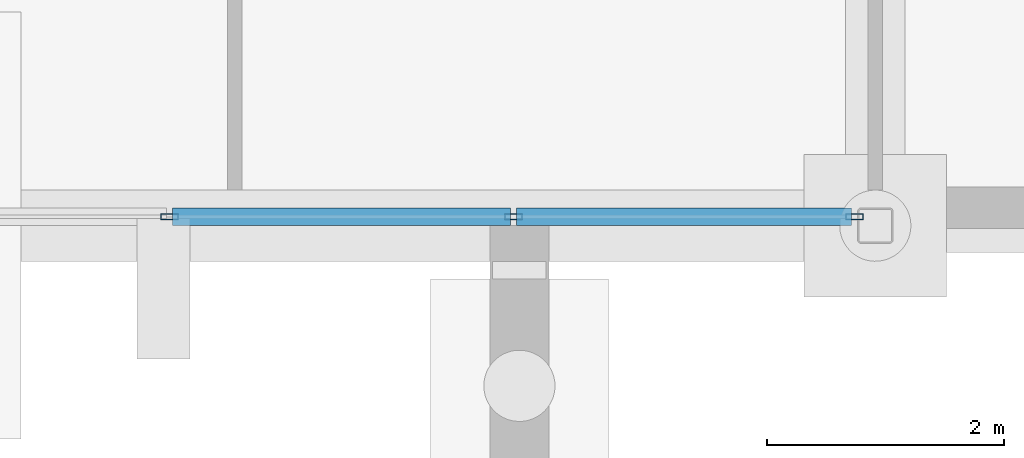
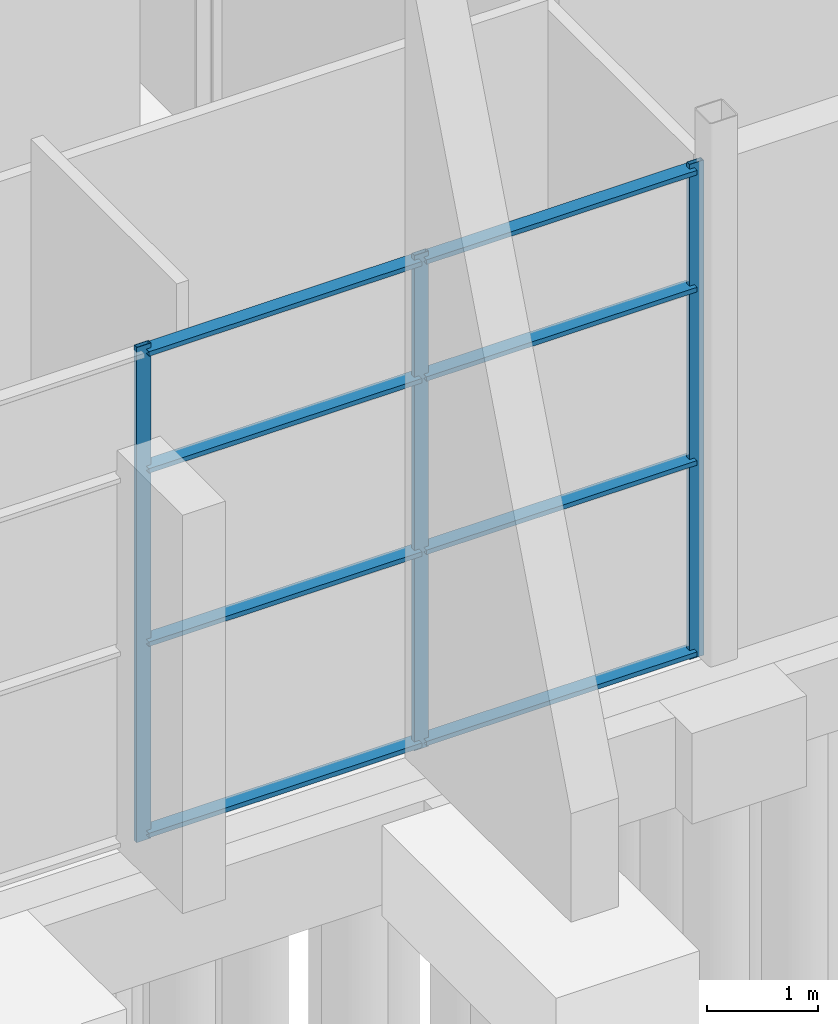
# One storey, part 40 of 139: 11 members, 1 element without a shape of its own.
"""IFC4 building model written with IfcOpenShell, lengths in metres."""

from ifc_helpers import new_model, si_unit, direction, frame, origin, origin_2d, place, context, subcontext, project, spatial, hollow_rectangle, extrude, material, layer, layer_set, material_profile, profile_set, type_object, element, aggregate, save


model = new_model("IFC4")

# Units and contexts
model_context = context("Model", 3, precision=1e-05, world=origin(), true_north=direction((0.0, 1.0)))
body_context = subcontext(model_context, "Body", "Model", "MODEL_VIEW")
ifc_project = project(units=[si_unit("LENGTHUNIT", "METRE"), si_unit("AREAUNIT", "SQUARE_METRE"), si_unit("VOLUMEUNIT", "CUBIC_METRE"), si_unit("PLANEANGLEUNIT", "RADIAN"), si_unit("MASSUNIT", "GRAM", prefix="KILO")], contexts=[model_context])

# Site, building, storey
site_placement = place(None, origin())
site = spatial("IfcSite", under=ifc_project, at=site_placement, CompositionType="ELEMENT")
building_placement = place(site_placement, origin())
building = spatial("IfcBuilding", under=site, at=building_placement, Name="Shorebreak Coast Museum", CompositionType="ELEMENT")
storey_placement = place(building_placement, origin())
storey = spatial("IfcBuildingStorey", under=building, at=storey_placement, Name="L00", CompositionType="ELEMENT", Elevation=0.0)

# Curtain wall, members
ifc_material_1 = material(Name="Aluminium", Category="aluminium")
ifc_layer = layer(ifc_material_1, 0.14990234375)
ifc_layer_set = layer_set([ifc_layer], Name="Aluminium")
curtain_wall_type = type_object("IfcCurtainWallType", Name="Storefront curtain wall", PredefinedType="NOTDEFINED", material=ifc_layer_set)
curtain_wall_placement = place(storey_placement, origin())
curtain_wall = element("IfcCurtainWall", 1, at=curtain_wall_placement, inside=storey, type_object=curtain_wall_type, Name="Storefront L00 S 7", PredefinedType="NOTDEFINED")
ifc_material_2 = material(Name="Aluminium", Category="aluminium")
ifc_material_profile_1 = material_profile(ifc_material_2, hollow_rectangle(XDim=0.050048828125, YDim=0.14990234375, WallThickness=0.00390625, at=origin_2d()), Name="AL 150x50 RHS")
ifc_profile_set_1 = profile_set([ifc_material_profile_1], Name="Aluminium")
member_type_1 = type_object("IfcMemberType", Name="Storefront mullion 50 x 150", PredefinedType="MULLION", material=ifc_profile_set_1)
member_1_placement = place(storey_placement, frame((12.050048828125, 54.074951171875, 0.0), z_axis=(0.0, 0.0, 1.0), x_axis=(0.0, 1.0, 0.0)))
member_1 = element("IfcMember", 2, at=member_1_placement, type_object=member_type_1, Name="CW8 mullion 2", PredefinedType="MULLION", context=body_context, shape_type="SweptSolid", body=[
    extrude(hollow_rectangle(XDim=0.050048828125, YDim=0.14990234375, WallThickness=0.00390625, at=origin_2d()), origin(), (0.0, 0.0, 1.0), 5.469482421875),
])
member_2_placement = place(storey_placement, frame((14.949951171875, 54.074951171875, 0.0), z_axis=(0.0, 0.0, 1.0), x_axis=(0.0, 1.0, 0.0)))
member_2 = element("IfcMember", 3, at=member_2_placement, type_object=member_type_1, Name="CW8 mullion 3", PredefinedType="MULLION", context=body_context, shape_type="SweptSolid", body=[
    extrude(hollow_rectangle(XDim=0.050048828125, YDim=0.14990234375, WallThickness=0.00390625, at=origin_2d()), origin(), (0.0, 0.0, 1.0), 5.469482421875),
])
member_3_placement = place(storey_placement, frame((17.824951171875, 54.074951171875, 0.0), z_axis=(0.0, 0.0, 1.0), x_axis=(0.0, 1.0, 0.0)))
member_3 = element("IfcMember", 4, at=member_3_placement, type_object=member_type_1, Name="CW8 mullion 4", PredefinedType="MULLION", context=body_context, shape_type="SweptSolid", body=[
    extrude(hollow_rectangle(XDim=0.050048828125, YDim=0.14990234375, WallThickness=0.00390625, at=origin_2d()), origin(), (0.0, 0.0, 1.0), 5.469482421875),
])
ifc_material_3 = material(Name="Aluminium", Category="aluminium")
ifc_material_profile_2 = material_profile(ifc_material_3, hollow_rectangle(XDim=0.14990234375, YDim=0.050048828125, WallThickness=0.00390625, at=origin_2d()), Name="AL 50x150 RHS")
ifc_profile_set_2 = profile_set([ifc_material_profile_2], Name="Aluminium")
member_type_2 = type_object("IfcMemberType", Name="Storefront transom 150 x 50", PredefinedType="USERDEFINED", material=ifc_profile_set_2)
member_4_placement = place(storey_placement, frame((12.074951171875, 54.074951171875, 0.074951171875), z_axis=(1.0, 0.0, 0.0), x_axis=(0.0, 1.0, 0.0)))
member_4 = element("IfcMember", 5, at=member_4_placement, type_object=member_type_2, Name="CW8 transom 2.1", ObjectType="TRANSOM", PredefinedType="USERDEFINED", context=body_context, shape_type="SweptSolid", body=[
    extrude(hollow_rectangle(XDim=0.14990234375, YDim=0.050048828125, WallThickness=0.00390625, at=origin_2d()), origin(), (0.0, 0.0, 1.0), 2.85009765625),
])
member_5_placement = place(storey_placement, frame((12.074951171875, 54.074951171875, 2.187744140625), z_axis=(1.0, 0.0, 0.0), x_axis=(0.0, 1.0, 0.0)))
member_5 = element("IfcMember", 6, at=member_5_placement, type_object=member_type_2, Name="CW8 transom 2.2", ObjectType="TRANSOM", PredefinedType="USERDEFINED", context=body_context, shape_type="SweptSolid", body=[
    extrude(hollow_rectangle(XDim=0.14990234375, YDim=0.050048828125, WallThickness=0.00390625, at=origin_2d()), origin(), (0.0, 0.0, 1.0), 2.85009765625),
])
member_6_placement = place(storey_placement, frame((12.074951171875, 54.074951171875, 4.10205078125), z_axis=(1.0, 0.0, 0.0), x_axis=(0.0, 1.0, 0.0)))
member_6 = element("IfcMember", 7, at=member_6_placement, type_object=member_type_2, Name="CW8 transom 2.3", ObjectType="TRANSOM", PredefinedType="USERDEFINED", context=body_context, shape_type="SweptSolid", body=[
    extrude(hollow_rectangle(XDim=0.14990234375, YDim=0.050048828125, WallThickness=0.00390625, at=origin_2d()), origin(), (0.0, 0.0, 1.0), 2.85009765625),
])
member_7_placement = place(storey_placement, frame((12.074951171875, 54.074951171875, 5.394287109375), z_axis=(1.0, 0.0, 0.0), x_axis=(0.0, 1.0, 0.0)))
member_7 = element("IfcMember", 8, at=member_7_placement, type_object=member_type_2, Name="CW8 transom 2.4", ObjectType="TRANSOM", PredefinedType="USERDEFINED", context=body_context, shape_type="SweptSolid", body=[
    extrude(hollow_rectangle(XDim=0.14990234375, YDim=0.050048828125, WallThickness=0.00390625, at=origin_2d()), origin(), (0.0, 0.0, 1.0), 2.85009765625),
])
member_8_placement = place(storey_placement, frame((14.97509765625, 54.074951171875, 0.074951171875), z_axis=(1.0, 0.0, 0.0), x_axis=(0.0, 1.0, 0.0)))
member_8 = element("IfcMember", 9, at=member_8_placement, type_object=member_type_2, Name="CW8 transom 3.1", ObjectType="TRANSOM", PredefinedType="USERDEFINED", context=body_context, shape_type="SweptSolid", body=[
    extrude(hollow_rectangle(XDim=0.14990234375, YDim=0.050048828125, WallThickness=0.00390625, at=origin_2d()), origin(), (0.0, 0.0, 1.0), 2.824951171875),
])
member_9_placement = place(storey_placement, frame((14.97509765625, 54.074951171875, 2.187744140625), z_axis=(1.0, 0.0, 0.0), x_axis=(0.0, 1.0, 0.0)))
member_9 = element("IfcMember", 10, at=member_9_placement, type_object=member_type_2, Name="CW8 transom 3.2", ObjectType="TRANSOM", PredefinedType="USERDEFINED", context=body_context, shape_type="SweptSolid", body=[
    extrude(hollow_rectangle(XDim=0.14990234375, YDim=0.050048828125, WallThickness=0.00390625, at=origin_2d()), origin(), (0.0, 0.0, 1.0), 2.824951171875),
])
member_10_placement = place(storey_placement, frame((14.97509765625, 54.074951171875, 4.10205078125), z_axis=(1.0, 0.0, 0.0), x_axis=(0.0, 1.0, 0.0)))
member_10 = element("IfcMember", 11, at=member_10_placement, type_object=member_type_2, Name="CW8 transom 3.3", ObjectType="TRANSOM", PredefinedType="USERDEFINED", context=body_context, shape_type="SweptSolid", body=[
    extrude(hollow_rectangle(XDim=0.14990234375, YDim=0.050048828125, WallThickness=0.00390625, at=origin_2d()), origin(), (0.0, 0.0, 1.0), 2.824951171875),
])
member_11_placement = place(storey_placement, frame((14.97509765625, 54.074951171875, 5.394287109375), z_axis=(1.0, 0.0, 0.0), x_axis=(0.0, 1.0, 0.0)))
member_11 = element("IfcMember", 12, at=member_11_placement, type_object=member_type_2, Name="CW8 transom 3.4", ObjectType="TRANSOM", PredefinedType="USERDEFINED", context=body_context, shape_type="SweptSolid", body=[
    extrude(hollow_rectangle(XDim=0.14990234375, YDim=0.050048828125, WallThickness=0.00390625, at=origin_2d()), origin(), (0.0, 0.0, 1.0), 2.824951171875),
])
aggregate(curtain_wall, [member_1, member_2, member_3, member_4, member_5, member_6, member_7, member_8, member_9, member_10, member_11])

save(model, "model.ifc")
